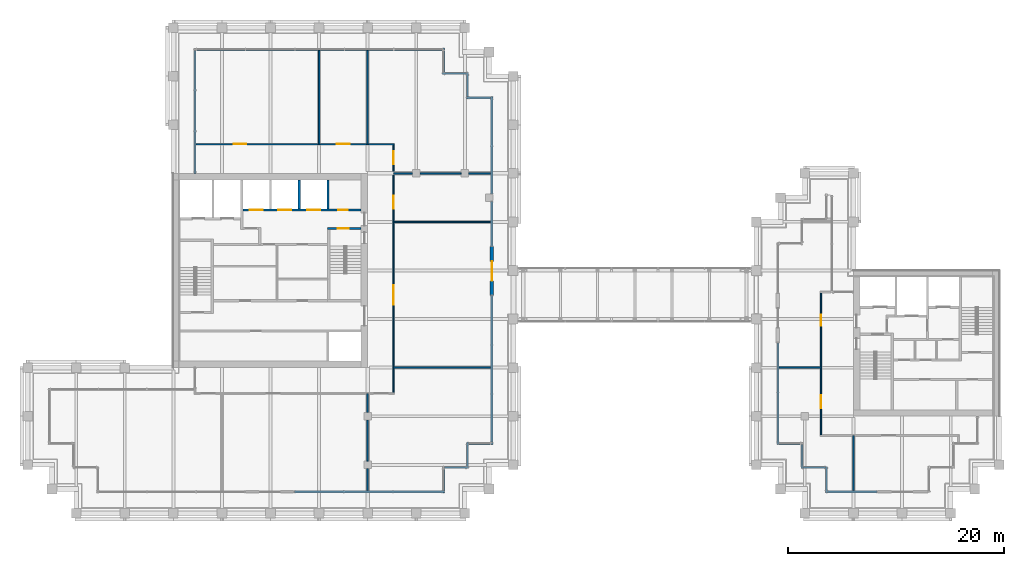
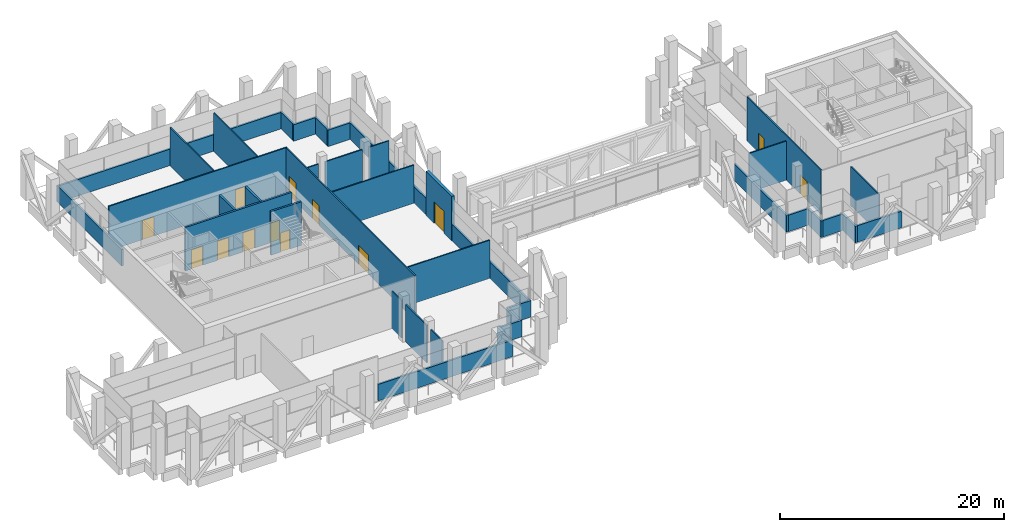
# One storey, part 29 of 34: 40 walls, 13 doors, 13 openings.
"""IFC4 building model written with IfcOpenShell, lengths in metres."""

from ifc_helpers import new_model, si_unit, direction, frame, frame_2d, origin, place, context, subcontext, project, spatial, rectangle, extrude, material, layer, layer_set, type_object, element, fill, save


model = new_model("IFC4")

# Units and contexts
model_context = context("Model", 3, precision=1e-05, world=origin(), true_north=direction((0.0, 1.0)))
body_context = subcontext(model_context, "Body", "Model", "MODEL_VIEW")
ifc_project = project(units=[si_unit("LENGTHUNIT", "METRE"), si_unit("AREAUNIT", "SQUARE_METRE"), si_unit("VOLUMEUNIT", "CUBIC_METRE"), si_unit("PLANEANGLEUNIT", "RADIAN"), si_unit("MASSUNIT", "GRAM", prefix="KILO")], contexts=[model_context])

# Site, building, storey
site_placement = place(None, origin())
site = spatial("IfcSite", under=ifc_project, at=site_placement, CompositionType="ELEMENT")
building_placement = place(site_placement, origin())
building = spatial("IfcBuilding", under=site, at=building_placement, Name="Altepetl Exchange Towers", CompositionType="ELEMENT")
storey_placement = place(building_placement, frame((0.0, 0.0, 190.60009765625)))
storey = spatial("IfcBuildingStorey", under=building, at=storey_placement, Name="L48 Refuge", CompositionType="ELEMENT", Elevation=190.60009765625)

# Walls
ifc_material_1 = material(Name="Gypsum board on steel studs", Category="steel")
ifc_layer_1 = layer(ifc_material_1, 0.125)
ifc_layer_set_1 = layer_set([ifc_layer_1], Name="Gypsum board on steel studs")
wall_type_1 = type_object("IfcWallType", Name="Partition 125 gypsum board on steel studs", PredefinedType="PARTITIONING", material=ifc_layer_set_1)
for number, where, name in (
    (1, (60.89990234375, 40.5, 0.0), "wall:A:L48:P02"),
    (2, (60.89990234375, 54.0, 0.0), "wall:A:L48:P03"),
):
    element("IfcWall", number, at=place(storey_placement, frame(where)), inside=storey, type_object=wall_type_1, Name=name, PredefinedType="PARTITIONING", context=body_context, shape_type="SweptSolid", body=[
        extrude(rectangle(XDim=9.0, YDim=0.125, at=frame_2d((4.5, 0.0))), origin(), (0.0, 0.0, 1.0), 4.171875),
    ])
wall_1_placement = place(storey_placement, frame((60.89990234375, 58.5, 0.0)))
element("IfcWall", 3, at=wall_1_placement, inside=storey, type_object=wall_type_1, Name="wall:A:L48:P04", PredefinedType="PARTITIONING", context=body_context, shape_type="SweptSolid", body=[
    extrude(rectangle(XDim=1.75, YDim=0.125, at=frame_2d((0.875, 0.0))), origin(), (0.0, 0.0, 1.0), 4.075927734375),
])
wall_2_placement = place(storey_placement, frame((63.35009765625, 58.5, 0.0)))
element("IfcWall", 4, at=wall_2_placement, inside=storey, type_object=wall_type_1, Name="wall:A:L48:P05", PredefinedType="PARTITIONING", context=body_context, shape_type="SweptSolid", body=[
    extrude(rectangle(XDim=3.7998046875, YDim=0.125, at=frame_2d((1.89990234375, 0.0))), origin(), (0.0, 0.0, 1.0), 4.075927734375),
])
wall_3_placement = place(storey_placement, frame((67.85009765625, 58.5, 0.0)))
element("IfcWall", 5, at=wall_3_placement, inside=storey, type_object=wall_type_1, Name="wall:A:L48:P06", PredefinedType="PARTITIONING", context=body_context, shape_type="SweptSolid", body=[
    extrude(rectangle(XDim=2.0498046875, YDim=0.125, at=frame_2d((1.02490234375, 0.0))), origin(), (0.0, 0.0, 1.0), 4.075927734375),
])

# Wall, openings, doors
wall_4_placement = place(storey_placement, frame((42.60009765625, 61.199951171875, 0.0)))
wall_4 = element("IfcWall", 6, at=wall_4_placement, inside=storey, type_object=wall_type_1, Name="wall:A:L48:P07", PredefinedType="PARTITIONING", context=body_context, shape_type="SweptSolid", body=[
    extrude(rectangle(XDim=18.3623046875, YDim=0.125, at=frame_2d((9.18115234375, 0.0))), origin(), (0.0, 0.0, 1.0), 4.849853515625),
])
opening_1_placement = place(wall_4_placement, frame((13.050048828125, 0.0, 0.0)))
opening_1 = element("IfcOpeningElement", 7, at=opening_1_placement, cuts=wall_4, Name="Opening L48.A07", PredefinedType="OPENING", context=body_context, shape_type="SweptSolid", body=[
    extrude(rectangle(XDim=1.199951171875, YDim=2.10009765625, at=frame_2d((0.60009765625, 1.050048828125))), frame((0.0, 0.072509765625, 0.0), z_axis=(0.0, -1.0, 0.0), x_axis=(1.0, 0.0, 0.0)), (0.0, 0.0, 1.0), 0.14501953125),
])
opening_2_placement = place(wall_4_placement, frame((3.471923828125, 0.0, 0.0)))
opening_2 = element("IfcOpeningElement", 8, at=opening_2_placement, cuts=wall_4, Name="Opening L48.A08", PredefinedType="OPENING", context=body_context, shape_type="SweptSolid", body=[
    extrude(rectangle(XDim=1.199951171875, YDim=2.10009765625, at=frame_2d((0.60009765625, 1.050048828125))), frame((0.0, 0.072509765625, 0.0), z_axis=(0.0, -1.0, 0.0), x_axis=(1.0, 0.0, 0.0)), (0.0, 0.0, 1.0), 0.14501953125),
])
ifc_material_2 = material(Name="Steel and timber fire door", Category="steel")
door_type_1 = type_object("IfcDoorType", Name="Fire door 1200 x 2100 plant and refuge", OperationType="SINGLE_SWING_LEFT", PredefinedType="DOOR", material=ifc_material_2)
door_1_placement = place(opening_1_placement, origin())
door_1 = element("IfcDoor", 9, at=door_1_placement, inside=storey, type_object=door_type_1, Name="door:A:L48:07", OperationType="SINGLE_SWING_RIGHT", OverallHeight=2.10009765625, OverallWidth=1.199951171875, PredefinedType="DOOR", context=body_context, shape_type="SweptSolid", body=[
    extrude(rectangle(XDim=1.199951171875, YDim=2.10009765625, at=frame_2d((0.60009765625, 1.050048828125))), frame((0.0, 0.02490234375, 0.0), z_axis=(0.0, -1.0, 0.0), x_axis=(1.0, 0.0, 0.0)), (0.0, 0.0, 1.0), 0.050048828125),
])
fill(opening_1, door_1)
door_2_placement = place(opening_2_placement, origin())
door_2 = element("IfcDoor", 10, at=door_2_placement, inside=storey, type_object=door_type_1, Name="door:A:L48:08", OperationType="SINGLE_SWING_LEFT", OverallHeight=2.10009765625, OverallWidth=1.199951171875, PredefinedType="DOOR", context=body_context, shape_type="SweptSolid", body=[
    extrude(rectangle(XDim=1.199951171875, YDim=2.10009765625, at=frame_2d((0.60009765625, 1.050048828125))), frame((0.0, 0.02490234375, 0.0), z_axis=(0.0, -1.0, 0.0), x_axis=(1.0, 0.0, 0.0)), (0.0, 0.0, 1.0), 0.050048828125),
])
fill(opening_2, door_2)

# Walls
wall_5_placement = place(storey_placement, frame((54.0, 61.199951171875, 0.0), z_axis=(0.0, 0.0, 1.0), x_axis=(0.0, 1.0, 0.0)))
element("IfcWall", 11, at=wall_5_placement, inside=storey, type_object=wall_type_1, Name="wall:A:L48:P10", PredefinedType="PARTITIONING", context=body_context, shape_type="SweptSolid", body=[
    extrude(rectangle(XDim=8.699951171875, YDim=0.125, at=frame_2d((4.35009765625, 0.0))), origin(), (0.0, 0.0, 1.0), 4.171875),
])
wall_6_placement = place(storey_placement, frame((58.5, 29.10009765625, 0.0), z_axis=(0.0, 0.0, 1.0), x_axis=(0.0, 1.0, 0.0)))
element("IfcWall", 12, at=wall_6_placement, inside=storey, type_object=wall_type_1, Name="wall:A:L48:P11", PredefinedType="PARTITIONING", context=body_context, shape_type="SweptSolid", body=[
    extrude(rectangle(XDim=2.0498046875, YDim=0.125, at=frame_2d((1.02490234375, 0.0))), origin(), (0.0, 0.0, 1.0), 4.075927734375),
])
wall_7_placement = place(storey_placement, frame((58.5, 31.85009765625, 0.0), z_axis=(0.0, 0.0, 1.0), x_axis=(0.0, 1.0, 0.0)))
element("IfcWall", 13, at=wall_7_placement, inside=storey, type_object=wall_type_1, Name="wall:A:L48:P12", PredefinedType="PARTITIONING", context=body_context, shape_type="SweptSolid", body=[
    extrude(rectangle(XDim=3.7998046875, YDim=0.125, at=frame_2d((1.89990234375, 0.0))), origin(), (0.0, 0.0, 1.0), 4.075927734375),
])
wall_8_placement = place(storey_placement, frame((58.5, 36.35009765625, 0.0), z_axis=(0.0, 0.0, 1.0), x_axis=(0.0, 1.0, 0.0)))
element("IfcWall", 14, at=wall_8_placement, inside=storey, type_object=wall_type_1, Name="wall:A:L48:P13", PredefinedType="PARTITIONING", context=body_context, shape_type="SweptSolid", body=[
    extrude(rectangle(XDim=1.75, YDim=0.125, at=frame_2d((0.875, 0.0))), origin(), (0.0, 0.0, 1.0), 4.075927734375),
])
wall_9_placement = place(storey_placement, frame((58.5, 61.199951171875, 0.0), z_axis=(0.0, 0.0, 1.0), x_axis=(0.0, 1.0, 0.0)))
element("IfcWall", 15, at=wall_9_placement, inside=storey, type_object=wall_type_1, Name="wall:A:L48:P14", PredefinedType="PARTITIONING", context=body_context, shape_type="SweptSolid", body=[
    extrude(rectangle(XDim=8.699951171875, YDim=0.125, at=frame_2d((4.35009765625, 0.0))), origin(), (0.0, 0.0, 1.0), 4.171875),
])

# Wall, openings, doors
wall_10_placement = place(storey_placement, frame((60.89990234375, 38.16259765625, 0.0), z_axis=(0.0, 0.0, 1.0), x_axis=(0.0, 1.0, 0.0)))
wall_10 = element("IfcWall", 16, at=wall_10_placement, inside=storey, type_object=wall_type_1, Name="wall:A:L48:P15", PredefinedType="PARTITIONING", context=body_context, shape_type="SweptSolid", body=[
    extrude(rectangle(XDim=22.974853515625, YDim=0.125, at=frame_2d((11.4873046875, 0.0))), origin(), (0.0, 0.0, 1.0), 4.849853515625),
])
opening_3_placement = place(wall_10_placement, frame((8.1875, 0.0, 0.0)))
opening_3 = element("IfcOpeningElement", 17, at=opening_3_placement, cuts=wall_10, Name="Opening L48.A04", PredefinedType="OPENING", context=body_context, shape_type="SweptSolid", body=[
    extrude(rectangle(XDim=1.800048828125, YDim=2.10009765625, at=frame_2d((0.89990234375, 1.050048828125))), frame((0.0, 0.072509765625, 0.0), z_axis=(0.0, -1.0, 0.0), x_axis=(1.0, 0.0, 0.0)), (0.0, 0.0, 1.0), 0.14501953125),
])
opening_4_placement = place(wall_10_placement, frame((17.0673828125, 0.0, 0.0)))
opening_4 = element("IfcOpeningElement", 18, at=opening_4_placement, cuts=wall_10, Name="Opening L48.A05", PredefinedType="OPENING", context=body_context, shape_type="SweptSolid", body=[
    extrude(rectangle(XDim=1.199951171875, YDim=2.10009765625, at=frame_2d((0.60009765625, 1.050048828125))), frame((0.0, 0.072509765625, 0.0), z_axis=(0.0, -1.0, 0.0), x_axis=(1.0, 0.0, 0.0)), (0.0, 0.0, 1.0), 0.14501953125),
])
opening_5_placement = place(wall_10_placement, frame((21.1923828125, 0.0, 0.0)))
opening_5 = element("IfcOpeningElement", 19, at=opening_5_placement, cuts=wall_10, Name="Opening L48.A06", PredefinedType="OPENING", context=body_context, shape_type="SweptSolid", body=[
    extrude(rectangle(XDim=1.199951171875, YDim=2.10009765625, at=frame_2d((0.60009765625, 1.050048828125))), frame((0.0, 0.072509765625, 0.0), z_axis=(0.0, -1.0, 0.0), x_axis=(1.0, 0.0, 0.0)), (0.0, 0.0, 1.0), 0.14501953125),
])
door_3_placement = place(opening_4_placement, frame((1.199951171875, 0.0, 0.0), x_axis=(-1.0, 0.0, 0.0)))
door_3 = element("IfcDoor", 20, at=door_3_placement, inside=storey, type_object=door_type_1, Name="door:A:L48:05", OperationType="SINGLE_SWING_RIGHT", OverallHeight=2.10009765625, OverallWidth=1.199951171875, PredefinedType="DOOR", context=body_context, shape_type="SweptSolid", body=[
    extrude(rectangle(XDim=1.199951171875, YDim=2.10009765625, at=frame_2d((0.60009765625, 1.050048828125))), frame((0.0, 0.02490234375, 0.0), z_axis=(0.0, -1.0, 0.0), x_axis=(1.0, 0.0, 0.0)), (0.0, 0.0, 1.0), 0.050048828125),
])
fill(opening_4, door_3)
door_4_placement = place(opening_5_placement, frame((1.199951171875, 0.0, 0.0), x_axis=(-1.0, 0.0, 0.0)))
door_4 = element("IfcDoor", 21, at=door_4_placement, inside=storey, type_object=door_type_1, Name="door:A:L48:06", OperationType="SINGLE_SWING_RIGHT", OverallHeight=2.10009765625, OverallWidth=1.199951171875, PredefinedType="DOOR", context=body_context, shape_type="SweptSolid", body=[
    extrude(rectangle(XDim=1.199951171875, YDim=2.10009765625, at=frame_2d((0.60009765625, 1.050048828125))), frame((0.0, 0.02490234375, 0.0), z_axis=(0.0, -1.0, 0.0), x_axis=(1.0, 0.0, 0.0)), (0.0, 0.0, 1.0), 0.050048828125),
])
fill(opening_5, door_4)
door_type_2 = type_object("IfcDoorType", Name="Fire door 1800 x 2100 double leaf", OperationType="DOUBLE_DOOR_SINGLE_SWING", PredefinedType="DOOR", material=ifc_material_2)
door_5_placement = place(opening_3_placement, frame((1.800048828125, 0.0, 0.0), x_axis=(-1.0, 0.0, 0.0)))
door_5 = element("IfcDoor", 22, at=door_5_placement, inside=storey, type_object=door_type_2, Name="door:A:L48:04", OperationType="DOUBLE_DOOR_SINGLE_SWING", OverallHeight=2.10009765625, OverallWidth=1.800048828125, PredefinedType="DOOR", context=body_context, shape_type="SweptSolid", body=[
    extrude(rectangle(XDim=1.800048828125, YDim=2.10009765625, at=frame_2d((0.89990234375, 1.050048828125))), frame((0.0, 0.02490234375, 0.0), z_axis=(0.0, -1.0, 0.0), x_axis=(1.0, 0.0, 0.0)), (0.0, 0.0, 1.0), 0.050048828125),
])
fill(opening_3, door_5)

# Wall
wall_11_placement = place(storey_placement, frame((96.60009765625, 40.5, 0.0)))
element("IfcWall", 23, at=wall_11_placement, inside=storey, type_object=wall_type_1, Name="wall:B:L48:P02", PredefinedType="PARTITIONING", context=body_context, shape_type="SweptSolid", body=[
    extrude(rectangle(XDim=3.89990234375, YDim=0.125, at=frame_2d((1.949951171875, 0.0))), origin(), (0.0, 0.0, 1.0), 4.2509765625),
])

# Wall, openings, doors
wall_12_placement = place(storey_placement, frame((100.5, 34.262451171875, 0.0), z_axis=(0.0, 0.0, 1.0), x_axis=(0.0, 1.0, 0.0)))
wall_12 = element("IfcWall", 24, at=wall_12_placement, inside=storey, type_object=wall_type_1, Name="wall:B:L48:P05", PredefinedType="PARTITIONING", context=body_context, shape_type="SweptSolid", body=[
    extrude(rectangle(XDim=13.175048828125, YDim=0.125, at=frame_2d((6.58740234375, 0.0))), origin(), (0.0, 0.0, 1.0), 4.849853515625),
])
opening_6_placement = place(wall_12_placement, frame((2.487548828125, 0.0, 0.0)))
opening_6 = element("IfcOpeningElement", 25, at=opening_6_placement, cuts=wall_12, Name="Opening L48.B01", PredefinedType="OPENING", context=body_context, shape_type="SweptSolid", body=[
    extrude(rectangle(XDim=1.199951171875, YDim=2.10009765625, at=frame_2d((0.60009765625, 1.050048828125))), frame((0.0, 0.072509765625, 0.0), z_axis=(0.0, -1.0, 0.0), x_axis=(1.0, 0.0, 0.0)), (0.0, 0.0, 1.0), 0.14501953125),
])
opening_7_placement = place(wall_12_placement, frame((10.12939453125, 0.0, 0.0)))
opening_7 = element("IfcOpeningElement", 26, at=opening_7_placement, cuts=wall_12, Name="Opening L48.B03", PredefinedType="OPENING", context=body_context, shape_type="SweptSolid", body=[
    extrude(rectangle(XDim=1.0, YDim=2.10009765625, at=frame_2d((0.5, 1.050048828125))), frame((0.0, 0.072509765625, 0.0), z_axis=(0.0, -1.0, 0.0), x_axis=(1.0, 0.0, 0.0)), (0.0, 0.0, 1.0), 0.14501953125),
])
door_type_3 = type_object("IfcDoorType", Name="Fire door 1000 x 2100 single leaf", OperationType="SINGLE_SWING_LEFT", PredefinedType="DOOR", material=ifc_material_2)
door_6_placement = place(opening_7_placement, origin())
door_6 = element("IfcDoor", 27, at=door_6_placement, inside=storey, type_object=door_type_3, Name="door:B:L48:03", OperationType="SINGLE_SWING_LEFT", OverallHeight=2.10009765625, OverallWidth=1.0, PredefinedType="DOOR", context=body_context, shape_type="SweptSolid", body=[
    extrude(rectangle(XDim=1.0, YDim=2.10009765625, at=frame_2d((0.5, 1.050048828125))), frame((0.0, 0.02490234375, 0.0), z_axis=(0.0, -1.0, 0.0), x_axis=(1.0, 0.0, 0.0)), (0.0, 0.0, 1.0), 0.050048828125),
])
fill(opening_7, door_6)
door_7_placement = place(opening_6_placement, origin())
door_7 = element("IfcDoor", 28, at=door_7_placement, inside=storey, type_object=door_type_1, Name="door:B:L48:01", OperationType="SINGLE_SWING_RIGHT", OverallHeight=2.10009765625, OverallWidth=1.199951171875, PredefinedType="DOOR", context=body_context, shape_type="SweptSolid", body=[
    extrude(rectangle(XDim=1.199951171875, YDim=2.10009765625, at=frame_2d((0.60009765625, 1.050048828125))), frame((0.0, 0.02490234375, 0.0), z_axis=(0.0, -1.0, 0.0), x_axis=(1.0, 0.0, 0.0)), (0.0, 0.0, 1.0), 0.050048828125),
])
fill(opening_6, door_7)

# Walls
wall_13_placement = place(storey_placement, frame((103.5, 29.10009765625, 0.0), z_axis=(0.0, 0.0, 1.0), x_axis=(0.0, 1.0, 0.0)))
element("IfcWall", 29, at=wall_13_placement, inside=storey, type_object=wall_type_1, Name="wall:B:L48:P06", PredefinedType="PARTITIONING", context=body_context, shape_type="SweptSolid", body=[
    extrude(rectangle(XDim=5.099853515625, YDim=0.125, at=frame_2d((2.5498046875, 0.0))), origin(), (0.0, 0.0, 1.0), 4.2509765625),
])
ifc_material_3 = material(Name="Cantera limestone cladding", Category="masonry")
ifc_layer_2 = layer(ifc_material_3, 0.199951171875)
ifc_layer_set_2 = layer_set([ifc_layer_2], Name="Cantera limestone cladding")
wall_type_2 = type_object("IfcWallType", Name="Refuge stone wall 200", PredefinedType="ELEMENTEDWALL", material=ifc_layer_set_2)
wall_14_placement = place(storey_placement, frame((51.728515625, 29.0, 0.0)))
element("IfcWall", 30, at=wall_14_placement, inside=storey, type_object=wall_type_2, Name="Refuge stone wall", PredefinedType="ELEMENTEDWALL", context=body_context, shape_type="SweptSolid", body=[
    extrude(rectangle(XDim=13.87158203125, YDim=0.199951171875, at=frame_2d((6.935791015625, 0.0))), origin(), (0.0, 0.0, 1.0), 1.7998046875),
])
wall_15_placement = place(storey_placement, frame((65.5, 29.10009765625, 0.0), z_axis=(0.0, 0.0, 1.0), x_axis=(0.0, 1.0, 0.0)))
element("IfcWall", 31, at=wall_15_placement, inside=storey, type_object=wall_type_2, Name="Refuge stone wall", PredefinedType="ELEMENTEDWALL", context=body_context, shape_type="SweptSolid", body=[
    extrude(rectangle(XDim=2.25, YDim=0.199951171875, at=frame_2d((1.125, 0.0))), origin(), (0.0, 0.0, 1.0), 1.7998046875),
])
wall_16_placement = place(storey_placement, frame((65.60009765625, 31.25, 0.0)))
element("IfcWall", 32, at=wall_16_placement, inside=storey, type_object=wall_type_2, Name="Refuge stone wall", PredefinedType="ELEMENTEDWALL", context=body_context, shape_type="SweptSolid", body=[
    extrude(rectangle(XDim=2.25, YDim=0.199951171875, at=frame_2d((1.125, 0.0))), origin(), (0.0, 0.0, 1.0), 1.7998046875),
])
wall_17_placement = place(storey_placement, frame((67.75, 31.35009765625, 0.0), z_axis=(0.0, 0.0, 1.0), x_axis=(0.0, 1.0, 0.0)))
element("IfcWall", 33, at=wall_17_placement, inside=storey, type_object=wall_type_2, Name="Refuge stone wall", PredefinedType="ELEMENTEDWALL", context=body_context, shape_type="SweptSolid", body=[
    extrude(rectangle(XDim=2.25, YDim=0.199951171875, at=frame_2d((1.125, 0.0))), origin(), (0.0, 0.0, 1.0), 1.7998046875),
])
wall_18_placement = place(storey_placement, frame((67.85009765625, 33.5, 0.0)))
element("IfcWall", 34, at=wall_18_placement, inside=storey, type_object=wall_type_2, Name="Refuge stone wall", PredefinedType="ELEMENTEDWALL", context=body_context, shape_type="SweptSolid", body=[
    extrude(rectangle(XDim=2.25, YDim=0.199951171875, at=frame_2d((1.125, 0.0))), origin(), (0.0, 0.0, 1.0), 1.7998046875),
])
wall_19_placement = place(storey_placement, frame((70.0, 33.60009765625, 0.0), z_axis=(0.0, 0.0, 1.0), x_axis=(0.0, 1.0, 0.0)))
element("IfcWall", 35, at=wall_19_placement, inside=storey, type_object=wall_type_2, Name="Refuge stone wall", PredefinedType="ELEMENTEDWALL", context=body_context, shape_type="SweptSolid", body=[
    extrude(rectangle(XDim=13.5712890625, YDim=0.199951171875, at=frame_2d((6.78564453125, 0.0))), origin(), (0.0, 0.0, 1.0), 1.7998046875),
])
wall_20_placement = place(storey_placement, frame((70.0, 51.728515625, 0.0), z_axis=(0.0, 0.0, 1.0), x_axis=(0.0, 1.0, 0.0)))
element("IfcWall", 36, at=wall_20_placement, inside=storey, type_object=wall_type_2, Name="Refuge stone wall", PredefinedType="ELEMENTEDWALL", context=body_context, shape_type="SweptSolid", body=[
    extrude(rectangle(XDim=4.17138671875, YDim=0.199951171875, at=frame_2d((2.085693359375, 0.0))), origin(), (0.0, 0.0, 1.0), 1.7998046875),
])
wall_21_placement = place(storey_placement, frame((70.0, 56.60009765625, 0.0), z_axis=(0.0, 0.0, 1.0), x_axis=(0.0, 1.0, 0.0)))
element("IfcWall", 37, at=wall_21_placement, inside=storey, type_object=wall_type_2, Name="Refuge stone wall", PredefinedType="ELEMENTEDWALL", context=body_context, shape_type="SweptSolid", body=[
    extrude(rectangle(XDim=9.0, YDim=0.199951171875, at=frame_2d((4.5, 0.0))), origin(), (0.0, 0.0, 1.0), 1.7998046875),
])
for number, where, z_axis, x_axis, name in (
    (38, (69.89990234375, 65.5, 0.0), (0.0, 0.0, 1.0), (-1.0, 0.0, 0.0), "Refuge stone wall"),
    (39, (67.75, 65.60009765625, 0.0), (0.0, 0.0, 1.0), (0.0, 1.0, 0.0), "Refuge stone wall"),
    (40, (67.64990234375, 67.75, 0.0), (0.0, 0.0, 1.0), (-1.0, 0.0, 0.0), "Refuge stone wall"),
    (41, (65.5, 67.85009765625, 0.0), (0.0, 0.0, 1.0), (0.0, 1.0, 0.0), "Refuge stone wall"),
):
    element("IfcWall", number, at=place(storey_placement, frame(where, z_axis=z_axis, x_axis=x_axis)), inside=storey, type_object=wall_type_2, Name=name, PredefinedType="ELEMENTEDWALL", context=body_context, shape_type="SweptSolid", body=[
        extrude(rectangle(XDim=2.25, YDim=0.199951171875, at=frame_2d((1.125, 0.0))), origin(), (0.0, 0.0, 1.0), 1.7998046875),
    ])
wall_22_placement = place(storey_placement, frame((65.39990234375, 70.0, 0.0), z_axis=(0.0, 0.0, 1.0), x_axis=(-1.0, 0.0, 0.0)))
element("IfcWall", 42, at=wall_22_placement, inside=storey, type_object=wall_type_2, Name="Refuge stone wall", PredefinedType="ELEMENTEDWALL", context=body_context, shape_type="SweptSolid", body=[
    extrude(rectangle(XDim=23.0, YDim=0.199951171875, at=frame_2d((11.5, 0.0))), origin(), (0.0, 0.0, 1.0), 1.7998046875),
])
wall_23_placement = place(storey_placement, frame((42.5, 69.89990234375, 0.0), z_axis=(0.0, 0.0, 1.0), x_axis=(0.0, -1.0, 0.0)))
element("IfcWall", 43, at=wall_23_placement, inside=storey, type_object=wall_type_2, Name="Refuge stone wall", PredefinedType="ELEMENTEDWALL", context=body_context, shape_type="SweptSolid", body=[
    extrude(rectangle(XDim=11.39990234375, YDim=0.199951171875, at=frame_2d((5.699951171875, 0.0))), origin(), (0.0, 0.0, 1.0), 1.7998046875),
])
wall_24_placement = place(storey_placement, frame((101.0, 31.35009765625, 0.0), z_axis=(0.0, 0.0, 1.0), x_axis=(0.0, -1.0, 0.0)))
element("IfcWall", 44, at=wall_24_placement, inside=storey, type_object=wall_type_2, Name="Refuge stone wall", PredefinedType="ELEMENTEDWALL", context=body_context, shape_type="SweptSolid", body=[
    extrude(rectangle(XDim=2.4501953125, YDim=0.199951171875, at=frame_2d((1.22509765625, 0.0))), origin(), (0.0, 0.0, 1.0), 1.7998046875),
])
wall_25_placement = place(storey_placement, frame((101.10009765625, 29.0, 0.0)))
element("IfcWall", 45, at=wall_25_placement, inside=storey, type_object=wall_type_2, Name="Refuge stone wall", PredefinedType="ELEMENTEDWALL", context=body_context, shape_type="SweptSolid", body=[
    extrude(rectangle(XDim=4.599853515625, YDim=0.199951171875, at=frame_2d((2.2998046875, 0.0))), origin(), (0.0, 0.0, 1.0), 1.7998046875),
])
wall_26_placement = place(storey_placement, frame((96.5, 42.800048828125, 0.0), z_axis=(0.0, 0.0, 1.0), x_axis=(0.0, -1.0, 0.0)))
element("IfcWall", 46, at=wall_26_placement, inside=storey, type_object=wall_type_2, Name="Refuge stone wall", PredefinedType="ELEMENTEDWALL", context=body_context, shape_type="SweptSolid", body=[
    extrude(rectangle(XDim=9.400146484375, YDim=0.199951171875, at=frame_2d((4.7001953125, 0.0))), origin(), (0.0, 0.0, 1.0), 1.7998046875),
])
wall_27_placement = place(storey_placement, frame((96.60009765625, 33.5, 0.0)))
element("IfcWall", 47, at=wall_27_placement, inside=storey, type_object=wall_type_2, Name="Refuge stone wall", PredefinedType="ELEMENTEDWALL", context=body_context, shape_type="SweptSolid", body=[
    extrude(rectangle(XDim=2.25, YDim=0.199951171875, at=frame_2d((1.125, 0.0))), origin(), (0.0, 0.0, 1.0), 1.7998046875),
])
wall_28_placement = place(storey_placement, frame((98.75, 33.39990234375, 0.0), z_axis=(0.0, 0.0, 1.0), x_axis=(0.0, -1.0, 0.0)))
element("IfcWall", 48, at=wall_28_placement, inside=storey, type_object=wall_type_2, Name="Refuge stone wall", PredefinedType="ELEMENTEDWALL", context=body_context, shape_type="SweptSolid", body=[
    extrude(rectangle(XDim=2.25, YDim=0.199951171875, at=frame_2d((1.125, 0.0))), origin(), (0.0, 0.0, 1.0), 1.7998046875),
])
wall_29_placement = place(storey_placement, frame((98.85009765625, 31.25, 0.0)))
element("IfcWall", 49, at=wall_29_placement, inside=storey, type_object=wall_type_2, Name="Refuge stone wall", PredefinedType="ELEMENTEDWALL", context=body_context, shape_type="SweptSolid", body=[
    extrude(rectangle(XDim=2.0498046875, YDim=0.199951171875, at=frame_2d((1.02490234375, 0.0))), origin(), (0.0, 0.0, 1.0), 1.7998046875),
])
ifc_material_4 = material(Name="Concrete C40/50", Category="concrete")
ifc_layer_3 = layer(ifc_material_4, 0.199951171875)
ifc_layer_set_3 = layer_set([ifc_layer_3], Name="Concrete C40/50")
wall_type_3 = type_object("IfcWallType", Name="Shaft wall 200 reinforced concrete", PredefinedType="SHEAR", material=ifc_layer_set_3)
for number, where, z_axis, x_axis, name in (
    (50, (52.166748046875, 57.89990234375, 0.0), (0.0, 0.0, 1.0), (0.0, -1.0, 0.0), "wall:A:L48:K-divN4"),
    (51, (54.833251953125, 57.89990234375, 0.0), (0.0, 0.0, 1.0), (0.0, -1.0, 0.0), "wall:A:L48:K-divN5"),
):
    element("IfcWall", number, at=place(storey_placement, frame(where, z_axis=z_axis, x_axis=x_axis)), inside=storey, type_object=wall_type_3, Name=name, PredefinedType="SHEAR", context=body_context, shape_type="SweptSolid", body=[
        extrude(rectangle(XDim=2.699951171875, YDim=0.199951171875, at=frame_2d((1.35009765625, 0.0))), origin(), (0.0, 0.0, 1.0), 4.75),
    ])

# Wall, openings, doors
wall_30_placement = place(storey_placement, frame((46.933349609375, 55.10009765625, 0.0)))
wall_30 = element("IfcWall", 52, at=wall_30_placement, inside=storey, type_object=wall_type_3, Name="wall:A:L48:K-frontNb", PredefinedType="SHEAR", context=body_context, shape_type="SweptSolid", body=[
    extrude(rectangle(XDim=10.966552734375, YDim=0.199951171875, at=frame_2d((5.4833984375, 0.0))), origin(), (0.0, 0.0, 1.0), 4.75),
])
opening_8_placement = place(wall_30_placement, frame((8.83349609375, 0.0, 0.0)))
opening_8 = element("IfcOpeningElement", 53, at=opening_8_placement, cuts=wall_30, Name="Opening L48.A66", PredefinedType="OPENING", context=body_context, shape_type="SweptSolid", body=[
    extrude(rectangle(XDim=0.89990234375, YDim=2.10009765625, at=frame_2d((0.449951171875, 1.050048828125))), frame((0.0, 0.10986328125, 0.0), z_axis=(0.0, -1.0, 0.0), x_axis=(1.0, 0.0, 0.0)), (0.0, 0.0, 1.0), 0.219970703125),
])
opening_9_placement = place(wall_30_placement, frame((0.63330078125, 0.0, 0.0)))
opening_9 = element("IfcOpeningElement", 54, at=opening_9_placement, cuts=wall_30, Name="Opening L48.A74", PredefinedType="OPENING", context=body_context, shape_type="SweptSolid", body=[
    extrude(rectangle(XDim=1.199951171875, YDim=2.10009765625, at=frame_2d((0.60009765625, 1.050048828125))), frame((0.0, 0.10986328125, 0.0), z_axis=(0.0, -1.0, 0.0), x_axis=(1.0, 0.0, 0.0)), (0.0, 0.0, 1.0), 0.219970703125),
])
opening_10_placement = place(wall_30_placement, frame((3.300048828125, 0.0, 0.0)))
opening_10 = element("IfcOpeningElement", 55, at=opening_10_placement, cuts=wall_30, Name="Opening L48.A75", PredefinedType="OPENING", context=body_context, shape_type="SweptSolid", body=[
    extrude(rectangle(XDim=1.199951171875, YDim=2.10009765625, at=frame_2d((0.60009765625, 1.050048828125))), frame((0.0, 0.10986328125, 0.0), z_axis=(0.0, -1.0, 0.0), x_axis=(1.0, 0.0, 0.0)), (0.0, 0.0, 1.0), 0.219970703125),
])
opening_11_placement = place(wall_30_placement, frame((5.966796875, 0.0, 0.0)))
opening_11 = element("IfcOpeningElement", 56, at=opening_11_placement, cuts=wall_30, Name="Opening L48.A76", PredefinedType="OPENING", context=body_context, shape_type="SweptSolid", body=[
    extrude(rectangle(XDim=1.199951171875, YDim=2.10009765625, at=frame_2d((0.60009765625, 1.050048828125))), frame((0.0, 0.10986328125, 0.0), z_axis=(0.0, -1.0, 0.0), x_axis=(1.0, 0.0, 0.0)), (0.0, 0.0, 1.0), 0.219970703125),
])
door_type_4 = type_object("IfcDoorType", Name="Fire door 900 x 2100 service room", OperationType="SINGLE_SWING_LEFT", PredefinedType="DOOR", material=ifc_material_2)
door_8_placement = place(opening_8_placement, origin())
door_8 = element("IfcDoor", 57, at=door_8_placement, inside=storey, type_object=door_type_4, Name="door:A:L48:K-driser", OperationType="SINGLE_SWING_RIGHT", OverallHeight=2.10009765625, OverallWidth=0.89990234375, PredefinedType="DOOR", context=body_context, shape_type="SweptSolid", body=[
    extrude(rectangle(XDim=0.89990234375, YDim=2.10009765625, at=frame_2d((0.449951171875, 1.050048828125))), frame((0.0, 0.02490234375, 0.0), z_axis=(0.0, -1.0, 0.0), x_axis=(1.0, 0.0, 0.0)), (0.0, 0.0, 1.0), 0.050048828125),
])
fill(opening_8, door_8)
ifc_material_5 = material(Name="Stainless steel", Category="steel")
door_type_5 = type_object("IfcDoorType", Name="Lift landing door 1200 x 2100", OperationType="SLIDING_TO_LEFT", PredefinedType="DOOR", material=ifc_material_5)
door_9_placement = place(opening_9_placement, origin())
door_9 = element("IfcDoor", 58, at=door_9_placement, inside=storey, type_object=door_type_5, Name="Landing door P5", OperationType="SLIDING_TO_LEFT", OverallHeight=2.10009765625, OverallWidth=1.199951171875, PredefinedType="DOOR", context=body_context, shape_type="SweptSolid", body=[
    extrude(rectangle(XDim=1.199951171875, YDim=2.10009765625, at=frame_2d((0.60009765625, 1.050048828125))), frame((0.0, 0.02490234375, 0.0), z_axis=(0.0, -1.0, 0.0), x_axis=(1.0, 0.0, 0.0)), (0.0, 0.0, 1.0), 0.050048828125),
])
fill(opening_9, door_9)
door_10_placement = place(opening_10_placement, origin())
door_10 = element("IfcDoor", 59, at=door_10_placement, inside=storey, type_object=door_type_5, Name="Landing door P6", OperationType="SLIDING_TO_LEFT", OverallHeight=2.10009765625, OverallWidth=1.199951171875, PredefinedType="DOOR", context=body_context, shape_type="SweptSolid", body=[
    extrude(rectangle(XDim=1.199951171875, YDim=2.10009765625, at=frame_2d((0.60009765625, 1.050048828125))), frame((0.0, 0.02490234375, 0.0), z_axis=(0.0, -1.0, 0.0), x_axis=(1.0, 0.0, 0.0)), (0.0, 0.0, 1.0), 0.050048828125),
])
fill(opening_10, door_10)
door_11_placement = place(opening_11_placement, origin())
door_11 = element("IfcDoor", 60, at=door_11_placement, inside=storey, type_object=door_type_5, Name="Landing door P7", OperationType="SLIDING_TO_LEFT", OverallHeight=2.10009765625, OverallWidth=1.199951171875, PredefinedType="DOOR", context=body_context, shape_type="SweptSolid", body=[
    extrude(rectangle(XDim=1.199951171875, YDim=2.10009765625, at=frame_2d((0.60009765625, 1.050048828125))), frame((0.0, 0.02490234375, 0.0), z_axis=(0.0, -1.0, 0.0), x_axis=(1.0, 0.0, 0.0)), (0.0, 0.0, 1.0), 0.050048828125),
])
fill(opening_11, door_11)

# Wall, opening, door
ifc_layer_4 = layer(ifc_material_4, 0.199951171875)
ifc_layer_set_4 = layer_set([ifc_layer_4], Name="Concrete C40/50")
wall_type_4 = type_object("IfcWallType", Name="Stair wall 200 reinforced concrete", PredefinedType="SHEAR", material=ifc_layer_set_4)
wall_31_placement = place(storey_placement, frame((54.800048828125, 53.39990234375, 0.0)))
wall_31 = element("IfcWall", 61, at=wall_31_placement, inside=storey, type_object=wall_type_4, Name="wall:A:L48:K-stS2N", PredefinedType="SHEAR", context=body_context, shape_type="SweptSolid", body=[
    extrude(rectangle(XDim=3.099853515625, YDim=0.199951171875, at=frame_2d((1.5498046875, 0.0))), origin(), (0.0, 0.0, 1.0), 4.75),
])
opening_12_placement = place(wall_31_placement, frame((0.949951171875, 0.0, 0.0)))
opening_12 = element("IfcOpeningElement", 62, at=opening_12_placement, cuts=wall_31, Name="Opening L48.A63", PredefinedType="OPENING", context=body_context, shape_type="SweptSolid", body=[
    extrude(rectangle(XDim=1.0, YDim=2.10009765625, at=frame_2d((0.5, 1.050048828125))), frame((0.0, 0.10986328125, 0.0), z_axis=(0.0, -1.0, 0.0), x_axis=(1.0, 0.0, 0.0)), (0.0, 0.0, 1.0), 0.219970703125),
])
door_type_6 = type_object("IfcDoorType", Name="Fire door 1000 x 2100 stair and lobby", OperationType="SINGLE_SWING_LEFT", PredefinedType="DOOR", material=ifc_material_2)
door_12_placement = place(opening_12_placement, frame((1.0, 0.0, 0.0), x_axis=(-1.0, 0.0, 0.0)))
door_12 = element("IfcDoor", 63, at=door_12_placement, inside=storey, type_object=door_type_6, Name="door:A:L48:K-dS2in", OperationType="SINGLE_SWING_LEFT", OverallHeight=2.10009765625, OverallWidth=1.0, PredefinedType="DOOR", context=body_context, shape_type="SweptSolid", body=[
    extrude(rectangle(XDim=1.0, YDim=2.10009765625, at=frame_2d((0.5, 1.050048828125))), frame((0.0, 0.02490234375, 0.0), z_axis=(0.0, -1.0, 0.0), x_axis=(1.0, 0.0, 0.0)), (0.0, 0.0, 1.0), 0.050048828125),
])
fill(opening_12, door_12)

ifc_layer_5 = layer(ifc_material_3, 0.300048828125)
ifc_layer_set_5 = layer_set([ifc_layer_5], Name="Cantera limestone cladding")
wall_type_5 = type_object("IfcWallType", Name="Stone wall panel 300", PredefinedType="ELEMENTEDWALL", material=ifc_layer_set_5)
wall_32_placement = place(storey_placement, frame((70.0, 47.17138671875, 0.0), z_axis=(0.0, 0.0, 1.0), x_axis=(0.0, 1.0, 0.0)))
wall_32 = element("IfcWall", 64, at=wall_32_placement, inside=storey, type_object=wall_type_5, Name="Stone wall panel at BR3 landing", PredefinedType="ELEMENTEDWALL", context=body_context, shape_type="SweptSolid", body=[
    extrude(rectangle(XDim=4.55712890625, YDim=0.300048828125, at=frame_2d((2.278564453125, 0.0))), origin(), (0.0, 0.0, 1.0), 4.849853515625),
])
opening_13_placement = place(wall_32_placement, frame((1.378662109375, 0.0, 0.0)))
opening_13 = element("IfcOpeningElement", 65, at=opening_13_placement, cuts=wall_32, Name="Opening L48.A91", PredefinedType="OPENING", context=body_context, shape_type="SweptSolid", body=[
    extrude(rectangle(XDim=1.800048828125, YDim=2.39990234375, at=frame_2d((0.89990234375, 1.199951171875))), frame((0.0, 0.16015625, 0.0), z_axis=(0.0, -1.0, 0.0), x_axis=(1.0, 0.0, 0.0)), (0.0, 0.0, 1.0), 0.320068359375),
])
ifc_material_6 = material(Name="Steel S275 and fire resisting glass", Category="steel")
door_type_7 = type_object("IfcDoorType", Name="Bridge fire door pair 1800x2400", OperationType="DOUBLE_DOOR_DOUBLE_SWING", PredefinedType="NOTDEFINED", material=ifc_material_6)
door_13_placement = place(opening_13_placement, origin())
door_13 = element("IfcDoor", 66, at=door_13_placement, inside=storey, type_object=door_type_7, Name="BR3 fire door", OperationType="DOUBLE_DOOR_DOUBLE_SWING", OverallHeight=2.39990234375, OverallWidth=1.800048828125, PredefinedType="NOTDEFINED", context=body_context, shape_type="SweptSolid", body=[
    extrude(rectangle(XDim=1.800048828125, YDim=2.39990234375, at=frame_2d((0.89990234375, 1.199951171875))), frame((0.0, 0.02490234375, 0.0), z_axis=(0.0, -1.0, 0.0), x_axis=(1.0, 0.0, 0.0)), (0.0, 0.0, 1.0), 0.050048828125),
])
fill(opening_13, door_13)

save(model, "model.ifc")
